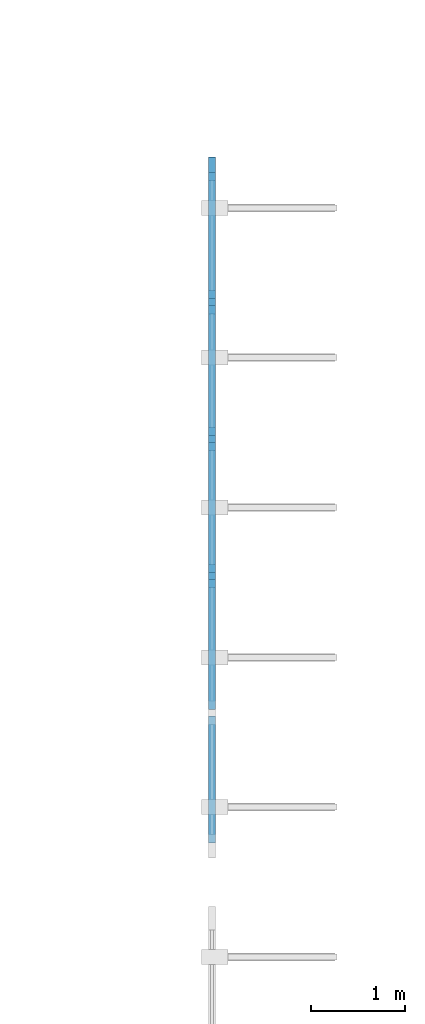
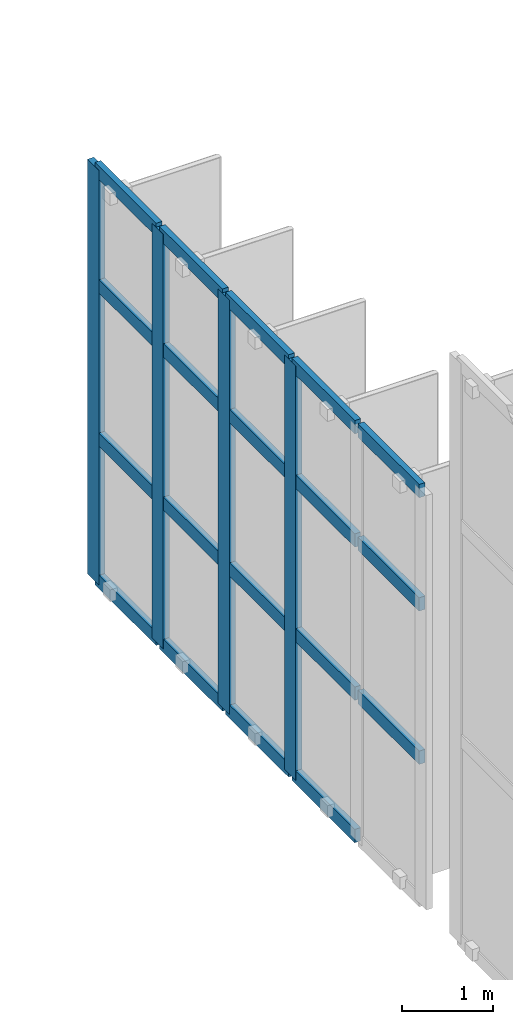
# One storey, part 10 of 38: 23 members, 1 element without a shape of its own.
"""IFC4 building model written with IfcOpenShell, lengths in metres."""

from ifc_helpers import new_model, si_unit, direction, frame, origin, origin_2d, place, context, subcontext, project, spatial, rectangle, extrude, material, layer, layer_set, material_profile, profile_set, type_object, element, aggregate, save


model = new_model("IFC4")

# Units and contexts
model_context = context("Model", 3, precision=1e-05, world=origin(), true_north=direction((0.0, 1.0)))
body_context = subcontext(model_context, "Body", "Model", "MODEL_VIEW")
ifc_project = project(units=[si_unit("LENGTHUNIT", "METRE"), si_unit("AREAUNIT", "SQUARE_METRE"), si_unit("VOLUMEUNIT", "CUBIC_METRE"), si_unit("PLANEANGLEUNIT", "RADIAN"), si_unit("MASSUNIT", "GRAM", prefix="KILO")], contexts=[model_context])

# Site, building, storey
site_placement = place(None, origin())
site = spatial("IfcSite", under=ifc_project, at=site_placement, CompositionType="ELEMENT")
building_placement = place(site_placement, origin())
building = spatial("IfcBuilding", under=site, at=building_placement, Name="Drelvana Railside Aquatics Centre", CompositionType="ELEMENT")
storey_placement = place(building_placement, frame((0.0, 0.0, 14.39990234375)))
storey = spatial("IfcBuildingStorey", under=building, at=storey_placement, Name="L03", CompositionType="ELEMENT", Elevation=14.39990234375)

# Curtain wall, members
ifc_material_1 = material(Name="Bronze-anodised aluminium curtain wall", Category="aluminium")
ifc_layer = layer(ifc_material_1, 0.219970703125, Name="Bronze-anodised aluminium curtain wall")
ifc_layer_set = layer_set([ifc_layer], Name="Bronze-anodised aluminium curtain wall")
curtain_wall_type = type_object("IfcCurtainWallType", Name="CW-Z3-HIGH", PredefinedType="NOTDEFINED", material=ifc_layer_set)
curtain_wall_placement = place(storey_placement, origin())
curtain_wall = element("IfcCurtainWall", 1, at=curtain_wall_placement, inside=storey, type_object=curtain_wall_type, Name="Curtain wall CW-03-077", PredefinedType="NOTDEFINED")
ifc_material_2 = material(Name="Bronze-anodised aluminium 6063-T6", Category="aluminium")
ifc_material_profile_1 = material_profile(ifc_material_2, rectangle(XDim=0.080078125, YDim=0.25, at=origin_2d()), Name="ALU-M 80x250")
ifc_profile_set_1 = profile_set([ifc_material_profile_1], Name="Bronze-anodised aluminium 6063-T6")
member_type_1 = type_object("IfcMemberType", Name="CW-Z3-HIGH-MUL", PredefinedType="MULLION", material=ifc_profile_set_1)
member_1_placement = place(storey_placement, frame((96.0, 67.268798828125, -0.005859375), z_axis=(0.0, 0.0, 1.0), x_axis=(-1.0, 0.0, 0.0)))
member_1 = element("IfcMember", 2, at=member_1_placement, type_object=member_type_1, Name="CW-03 mullion 3", PredefinedType="MULLION", context=body_context, shape_type="SweptSolid", body=[
    extrude(rectangle(XDim=0.080078125, YDim=0.25, at=origin_2d()), origin(), (0.0, 0.0, 1.0), 5.587890625),
])
member_2_placement = place(storey_placement, frame((96.0, 68.731201171875, -0.005859375), z_axis=(0.0, 0.0, 1.0), x_axis=(-1.0, 0.0, 0.0)))
member_2 = element("IfcMember", 3, at=member_2_placement, type_object=member_type_1, Name="CW-03 mullion 4", PredefinedType="MULLION", context=body_context, shape_type="SweptSolid", body=[
    extrude(rectangle(XDim=0.080078125, YDim=0.25, at=origin_2d()), origin(), (0.0, 0.0, 1.0), 5.587890625),
])
member_3_placement = place(storey_placement, frame((96.0, 70.193603515625, -0.005859375), z_axis=(0.0, 0.0, 1.0), x_axis=(-1.0, 0.0, 0.0)))
member_3 = element("IfcMember", 4, at=member_3_placement, type_object=member_type_1, Name="CW-03 mullion 5", PredefinedType="MULLION", context=body_context, shape_type="SweptSolid", body=[
    extrude(rectangle(XDim=0.080078125, YDim=0.25, at=origin_2d()), origin(), (0.0, 0.0, 1.0), 5.587890625),
])
member_4_placement = place(storey_placement, frame((96.0, 71.615966796875, -0.005859375), z_axis=(0.0, 0.0, 1.0), x_axis=(-1.0, 0.0, 0.0)))
member_4 = element("IfcMember", 5, at=member_4_placement, type_object=member_type_1, Name="CW-03 mullion 6", PredefinedType="MULLION", context=body_context, shape_type="SweptSolid", body=[
    extrude(rectangle(XDim=0.080078125, YDim=0.25, at=origin_2d()), origin(), (0.0, 0.0, 1.0), 5.587890625),
])
ifc_material_profile_2 = material_profile(ifc_material_2, rectangle(XDim=0.179931640625, YDim=0.074951171875, at=origin_2d()), Name="ALU-T 75x180")
ifc_profile_set_2 = profile_set([ifc_material_profile_2], Name="Bronze-anodised aluminium 6063-T6")
member_type_2 = type_object("IfcMemberType", Name="CW-Z3-HIGH-TRN", PredefinedType="USERDEFINED", material=ifc_profile_set_2)
member_5_placement = place(storey_placement, frame((96.0, 64.4189453125, 1.9501953125), z_axis=(0.0, 1.0, 0.0), x_axis=(0.0, 0.0, 1.0)))
member_5 = element("IfcMember", 6, at=member_5_placement, type_object=member_type_2, Name="CW-03 transom 1.2", ObjectType="TRANSOM", PredefinedType="USERDEFINED", context=body_context, shape_type="SweptSolid", body=[
    extrude(rectangle(XDim=0.179931640625, YDim=0.074951171875, at=origin_2d()), origin(), (0.0, 0.0, 1.0), 1.3525390625),
])
member_6_placement = place(storey_placement, frame((96.0, 64.4189453125, 4.01708984375), z_axis=(0.0, 1.0, 0.0), x_axis=(0.0, 0.0, 1.0)))
member_6 = element("IfcMember", 7, at=member_6_placement, type_object=member_type_2, Name="CW-03 transom 1.3", ObjectType="TRANSOM", PredefinedType="USERDEFINED", context=body_context, shape_type="SweptSolid", body=[
    extrude(rectangle(XDim=0.179931640625, YDim=0.074951171875, at=origin_2d()), origin(), (0.0, 0.0, 1.0), 1.3525390625),
])
member_7_placement = place(storey_placement, frame((96.0, 64.4189453125, 5.544677734375), z_axis=(0.0, 1.0, 0.0), x_axis=(0.0, 0.0, 1.0)))
member_7 = element("IfcMember", 8, at=member_7_placement, type_object=member_type_2, Name="CW-03 transom 1.4", ObjectType="TRANSOM", PredefinedType="USERDEFINED", context=body_context, shape_type="SweptSolid", body=[
    extrude(rectangle(XDim=0.179931640625, YDim=0.074951171875, at=origin_2d()), origin(), (0.0, 0.0, 1.0), 1.3525390625),
])
member_8_placement = place(storey_placement, frame((96.0, 65.84130859375, 0.031494140625), z_axis=(0.0, 1.0, 0.0), x_axis=(0.0, 0.0, 1.0)))
member_8 = element("IfcMember", 9, at=member_8_placement, type_object=member_type_2, Name="CW-03 transom 2.1", ObjectType="TRANSOM", PredefinedType="USERDEFINED", context=body_context, shape_type="SweptSolid", body=[
    extrude(rectangle(XDim=0.179931640625, YDim=0.074951171875, at=origin_2d()), origin(), (0.0, 0.0, 1.0), 1.392578125),
])
member_9_placement = place(storey_placement, frame((96.0, 65.84130859375, 1.9501953125), z_axis=(0.0, 1.0, 0.0), x_axis=(0.0, 0.0, 1.0)))
member_9 = element("IfcMember", 10, at=member_9_placement, type_object=member_type_2, Name="CW-03 transom 2.2", ObjectType="TRANSOM", PredefinedType="USERDEFINED", context=body_context, shape_type="SweptSolid", body=[
    extrude(rectangle(XDim=0.179931640625, YDim=0.074951171875, at=origin_2d()), origin(), (0.0, 0.0, 1.0), 1.392578125),
])
member_10_placement = place(storey_placement, frame((96.0, 65.84130859375, 4.01708984375), z_axis=(0.0, 1.0, 0.0), x_axis=(0.0, 0.0, 1.0)))
member_10 = element("IfcMember", 11, at=member_10_placement, type_object=member_type_2, Name="CW-03 transom 2.3", ObjectType="TRANSOM", PredefinedType="USERDEFINED", context=body_context, shape_type="SweptSolid", body=[
    extrude(rectangle(XDim=0.179931640625, YDim=0.074951171875, at=origin_2d()), origin(), (0.0, 0.0, 1.0), 1.392578125),
])
member_11_placement = place(storey_placement, frame((96.0, 65.84130859375, 5.544677734375), z_axis=(0.0, 1.0, 0.0), x_axis=(0.0, 0.0, 1.0)))
member_11 = element("IfcMember", 12, at=member_11_placement, type_object=member_type_2, Name="CW-03 transom 2.4", ObjectType="TRANSOM", PredefinedType="USERDEFINED", context=body_context, shape_type="SweptSolid", body=[
    extrude(rectangle(XDim=0.179931640625, YDim=0.074951171875, at=origin_2d()), origin(), (0.0, 0.0, 1.0), 1.392578125),
])
member_12_placement = place(storey_placement, frame((96.0, 67.3037109375, 0.031494140625), z_axis=(0.0, 1.0, 0.0), x_axis=(0.0, 0.0, 1.0)))
member_12 = element("IfcMember", 13, at=member_12_placement, type_object=member_type_2, Name="CW-03 transom 3.1", ObjectType="TRANSOM", PredefinedType="USERDEFINED", context=body_context, shape_type="SweptSolid", body=[
    extrude(rectangle(XDim=0.179931640625, YDim=0.074951171875, at=origin_2d()), origin(), (0.0, 0.0, 1.0), 1.392578125),
])
member_13_placement = place(storey_placement, frame((96.0, 67.3037109375, 1.9501953125), z_axis=(0.0, 1.0, 0.0), x_axis=(0.0, 0.0, 1.0)))
member_13 = element("IfcMember", 14, at=member_13_placement, type_object=member_type_2, Name="CW-03 transom 3.2", ObjectType="TRANSOM", PredefinedType="USERDEFINED", context=body_context, shape_type="SweptSolid", body=[
    extrude(rectangle(XDim=0.179931640625, YDim=0.074951171875, at=origin_2d()), origin(), (0.0, 0.0, 1.0), 1.392578125),
])
member_14_placement = place(storey_placement, frame((96.0, 67.3037109375, 4.01708984375), z_axis=(0.0, 1.0, 0.0), x_axis=(0.0, 0.0, 1.0)))
member_14 = element("IfcMember", 15, at=member_14_placement, type_object=member_type_2, Name="CW-03 transom 3.3", ObjectType="TRANSOM", PredefinedType="USERDEFINED", context=body_context, shape_type="SweptSolid", body=[
    extrude(rectangle(XDim=0.179931640625, YDim=0.074951171875, at=origin_2d()), origin(), (0.0, 0.0, 1.0), 1.392578125),
])
member_15_placement = place(storey_placement, frame((96.0, 67.3037109375, 5.544677734375), z_axis=(0.0, 1.0, 0.0), x_axis=(0.0, 0.0, 1.0)))
member_15 = element("IfcMember", 16, at=member_15_placement, type_object=member_type_2, Name="CW-03 transom 3.4", ObjectType="TRANSOM", PredefinedType="USERDEFINED", context=body_context, shape_type="SweptSolid", body=[
    extrude(rectangle(XDim=0.179931640625, YDim=0.074951171875, at=origin_2d()), origin(), (0.0, 0.0, 1.0), 1.392578125),
])
member_16_placement = place(storey_placement, frame((96.0, 68.76611328125, 0.031494140625), z_axis=(0.0, 1.0, 0.0), x_axis=(0.0, 0.0, 1.0)))
member_16 = element("IfcMember", 17, at=member_16_placement, type_object=member_type_2, Name="CW-03 transom 4.1", ObjectType="TRANSOM", PredefinedType="USERDEFINED", context=body_context, shape_type="SweptSolid", body=[
    extrude(rectangle(XDim=0.179931640625, YDim=0.074951171875, at=origin_2d()), origin(), (0.0, 0.0, 1.0), 1.392578125),
])
member_17_placement = place(storey_placement, frame((96.0, 68.76611328125, 1.9501953125), z_axis=(0.0, 1.0, 0.0), x_axis=(0.0, 0.0, 1.0)))
member_17 = element("IfcMember", 18, at=member_17_placement, type_object=member_type_2, Name="CW-03 transom 4.2", ObjectType="TRANSOM", PredefinedType="USERDEFINED", context=body_context, shape_type="SweptSolid", body=[
    extrude(rectangle(XDim=0.179931640625, YDim=0.074951171875, at=origin_2d()), origin(), (0.0, 0.0, 1.0), 1.392578125),
])
member_18_placement = place(storey_placement, frame((96.0, 68.76611328125, 4.01708984375), z_axis=(0.0, 1.0, 0.0), x_axis=(0.0, 0.0, 1.0)))
member_18 = element("IfcMember", 19, at=member_18_placement, type_object=member_type_2, Name="CW-03 transom 4.3", ObjectType="TRANSOM", PredefinedType="USERDEFINED", context=body_context, shape_type="SweptSolid", body=[
    extrude(rectangle(XDim=0.179931640625, YDim=0.074951171875, at=origin_2d()), origin(), (0.0, 0.0, 1.0), 1.392578125),
])
member_19_placement = place(storey_placement, frame((96.0, 68.76611328125, 5.544677734375), z_axis=(0.0, 1.0, 0.0), x_axis=(0.0, 0.0, 1.0)))
member_19 = element("IfcMember", 20, at=member_19_placement, type_object=member_type_2, Name="CW-03 transom 4.4", ObjectType="TRANSOM", PredefinedType="USERDEFINED", context=body_context, shape_type="SweptSolid", body=[
    extrude(rectangle(XDim=0.179931640625, YDim=0.074951171875, at=origin_2d()), origin(), (0.0, 0.0, 1.0), 1.392578125),
])
member_20_placement = place(storey_placement, frame((96.0, 70.228515625, 0.031494140625), z_axis=(0.0, 1.0, 0.0), x_axis=(0.0, 0.0, 1.0)))
member_20 = element("IfcMember", 21, at=member_20_placement, type_object=member_type_2, Name="CW-03 transom 5.1", ObjectType="TRANSOM", PredefinedType="USERDEFINED", context=body_context, shape_type="SweptSolid", body=[
    extrude(rectangle(XDim=0.179931640625, YDim=0.074951171875, at=origin_2d()), origin(), (0.0, 0.0, 1.0), 1.3525390625),
])
member_21_placement = place(storey_placement, frame((96.0, 70.228515625, 1.9501953125), z_axis=(0.0, 1.0, 0.0), x_axis=(0.0, 0.0, 1.0)))
member_21 = element("IfcMember", 22, at=member_21_placement, type_object=member_type_2, Name="CW-03 transom 5.2", ObjectType="TRANSOM", PredefinedType="USERDEFINED", context=body_context, shape_type="SweptSolid", body=[
    extrude(rectangle(XDim=0.179931640625, YDim=0.074951171875, at=origin_2d()), origin(), (0.0, 0.0, 1.0), 1.3525390625),
])
member_22_placement = place(storey_placement, frame((96.0, 70.228515625, 4.01708984375), z_axis=(0.0, 1.0, 0.0), x_axis=(0.0, 0.0, 1.0)))
member_22 = element("IfcMember", 23, at=member_22_placement, type_object=member_type_2, Name="CW-03 transom 5.3", ObjectType="TRANSOM", PredefinedType="USERDEFINED", context=body_context, shape_type="SweptSolid", body=[
    extrude(rectangle(XDim=0.179931640625, YDim=0.074951171875, at=origin_2d()), origin(), (0.0, 0.0, 1.0), 1.3525390625),
])
member_23_placement = place(storey_placement, frame((96.0, 70.228515625, 5.544677734375), z_axis=(0.0, 1.0, 0.0), x_axis=(0.0, 0.0, 1.0)))
member_23 = element("IfcMember", 24, at=member_23_placement, type_object=member_type_2, Name="CW-03 transom 5.4", ObjectType="TRANSOM", PredefinedType="USERDEFINED", context=body_context, shape_type="SweptSolid", body=[
    extrude(rectangle(XDim=0.179931640625, YDim=0.074951171875, at=origin_2d()), origin(), (0.0, 0.0, 1.0), 1.3525390625),
])
aggregate(curtain_wall, [member_1, member_2, member_3, member_4, member_5, member_6, member_7, member_8, member_9, member_10, member_11, member_12, member_13, member_14, member_15, member_16, member_17, member_18, member_19, member_20, member_21, member_22, member_23])

save(model, "model.ifc")
